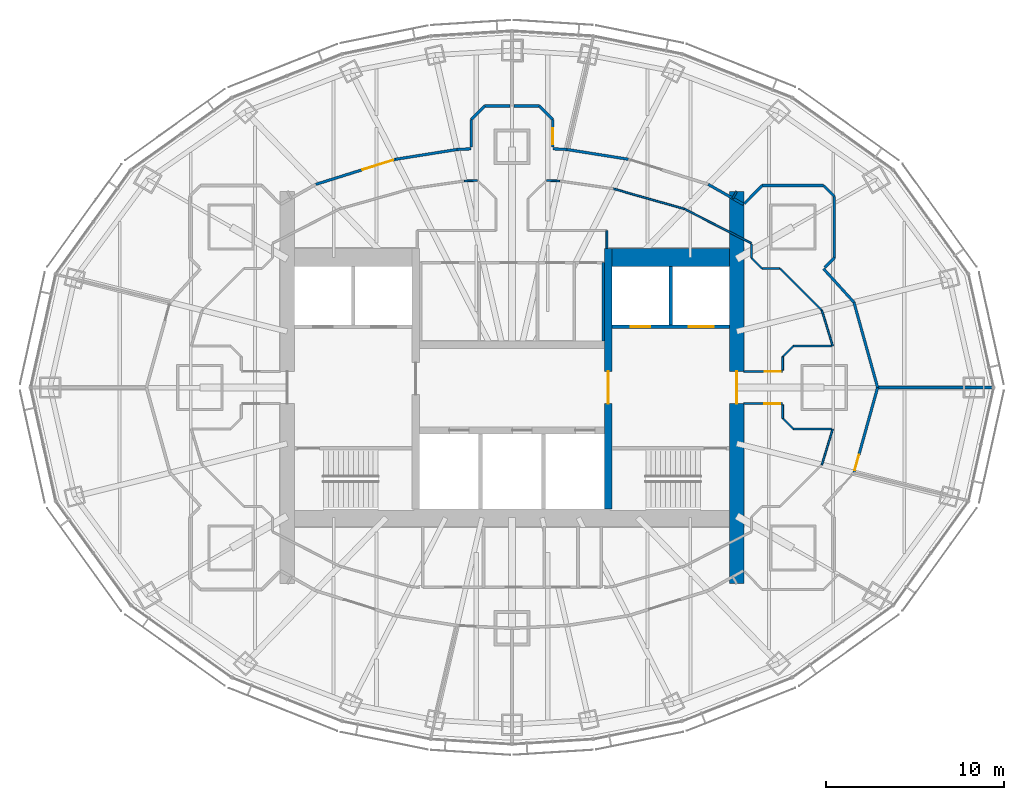
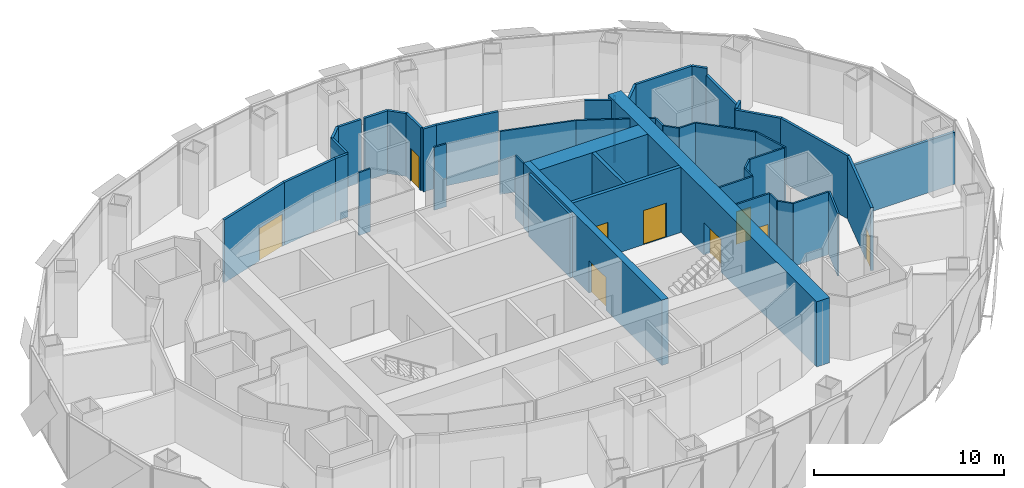
# One storey, part 14 of 18: 47 walls, 9 doors, 9 openings.
"""IFC4 building model written with IfcOpenShell, lengths in metres."""

from ifc_helpers import new_model, si_unit, direction, frame, frame_2d, origin, place, context, subcontext, project, spatial, rectangle, extrude, material, layer, layer_set, type_object, element, fill, save


model = new_model("IFC4")

# Units and contexts
model_context = context("Model", 3, precision=1e-05, world=origin(), true_north=direction((0.0, 1.0)))
body_context = subcontext(model_context, "Body", "Model", "MODEL_VIEW")
ifc_project = project(units=[si_unit("LENGTHUNIT", "METRE"), si_unit("AREAUNIT", "SQUARE_METRE"), si_unit("VOLUMEUNIT", "CUBIC_METRE"), si_unit("PLANEANGLEUNIT", "RADIAN"), si_unit("MASSUNIT", "GRAM", prefix="KILO")], contexts=[model_context])

# Site, building, storey
site_placement = place(None, origin())
site = spatial("IfcSite", under=ifc_project, at=site_placement, CompositionType="ELEMENT")
building_placement = place(site_placement, origin())
building = spatial("IfcBuilding", under=site, at=building_placement, Name="Lantaw Convention Tower", CompositionType="ELEMENT")
storey_placement = place(building_placement, frame((0.0, 0.0, 257.800048828125)))
storey = spatial("IfcBuildingStorey", under=building, at=storey_placement, Name="L60", CompositionType="ELEMENT", Elevation=257.800048828125)

# Wall
ifc_material_1 = material(Name="Concrete C60/75", Category="concrete")
ifc_layer_1 = layer(ifc_material_1, 1.0)
ifc_layer_set_1 = layer_set([ifc_layer_1], Name="Core wall 1000")
wall_type_1 = type_object("IfcWallType", Name="Core wall 1000", PredefinedType="SHEAR", material=ifc_layer_set_1)
wall_1_placement = place(storey_placement, frame((12.199951171875, 7.300048828125, 0.0), z_axis=(0.0, 0.0, 1.0), x_axis=(-1.0, 0.0, 0.0)))
element("IfcWall", 1, at=wall_1_placement, inside=storey, type_object=wall_type_1, Name="Core wall NE", PredefinedType="SHEAR", context=body_context, shape_type="SweptSolid", body=[
    extrude(rectangle(XDim=6.599853515625, YDim=1.0, at=frame_2d((3.2998046875, 0.0))), origin(), (0.0, 0.0, 1.0), 4.199951171875),
])

# Wall, opening, door
ifc_layer_2 = layer(ifc_material_1, 0.39990234375)
ifc_layer_set_2 = layer_set([ifc_layer_2], Name="Core wall 400")
wall_type_2 = type_object("IfcWallType", Name="Core wall 400", PredefinedType="SHEAR", material=ifc_layer_set_2)
wall_2_placement = place(storey_placement, frame((5.39990234375, -6.800048828125, 0.0), z_axis=(0.0, 0.0, 1.0), x_axis=(0.0, 1.0, 0.0)))
wall_2 = element("IfcWall", 2, at=wall_2_placement, inside=storey, type_object=wall_type_2, Name="Core wall XE", PredefinedType="SHEAR", context=body_context, shape_type="SweptSolid", body=[
    extrude(rectangle(XDim=14.60009765625, YDim=0.39990234375, at=frame_2d((7.300048828125, 0.0))), origin(), (0.0, 0.0, 1.0), 4.199951171875),
])
opening_1_placement = place(wall_2_placement, frame((5.89990234375, 0.0, 0.0)))
opening_1 = element("IfcOpeningElement", 3, at=opening_1_placement, cuts=wall_2, Name="Opening L60.01", PredefinedType="OPENING", context=body_context, shape_type="SweptSolid", body=[
    extrude(rectangle(XDim=1.800048828125, YDim=2.10009765625, at=frame_2d((0.89990234375, 1.050048828125))), frame((0.0, 0.2099609375, 0.0), z_axis=(0.0, -1.0, 0.0), x_axis=(1.0, 0.0, 0.0)), (0.0, 0.0, 1.0), 0.419921875),
])
ifc_material_2 = material(Name="Steel, fire rated", Category="steel")
door_type_1 = type_object("IfcDoorType", Name="Lobby double door FD90", OperationType="DOUBLE_DOOR_DOUBLE_SWING", PredefinedType="DOOR", material=ifc_material_2)
door_1_placement = place(opening_1_placement, origin())
door_1 = element("IfcDoor", 4, at=door_1_placement, inside=storey, type_object=door_type_1, Name="Lift lobby door", OperationType="DOUBLE_DOOR_DOUBLE_SWING", OverallHeight=2.10009765625, OverallWidth=1.800048828125, PredefinedType="DOOR", context=body_context, shape_type="SweptSolid", body=[
    extrude(rectangle(XDim=1.800048828125, YDim=2.10009765625, at=frame_2d((0.89990234375, 1.050048828125))), frame((0.0, 0.02490234375, 0.0), z_axis=(0.0, -1.0, 0.0), x_axis=(1.0, 0.0, 0.0)), (0.0, 0.0, 1.0), 0.050048828125),
])
fill(opening_1, door_1)

ifc_layer_3 = layer(ifc_material_1, 0.800048828125)
ifc_layer_set_3 = layer_set([ifc_layer_3], Name="Core wall 800")
wall_type_3 = type_object("IfcWallType", Name="Core wall 800", PredefinedType="SHEAR", material=ifc_layer_set_3)
wall_3_placement = place(storey_placement, frame((12.60009765625, -11.0, 0.0), z_axis=(0.0, 0.0, 1.0), x_axis=(0.0, 1.0, 0.0)))
wall_3 = element("IfcWall", 5, at=wall_3_placement, inside=storey, type_object=wall_type_3, Name="Core wall E", PredefinedType="SHEAR", context=body_context, shape_type="SweptSolid", body=[
    extrude(rectangle(XDim=22.0, YDim=0.800048828125, at=frame_2d((11.0, 0.0))), origin(), (0.0, 0.0, 1.0), 4.199951171875),
])
opening_2_placement = place(wall_3_placement, frame((10.10009765625, 0.0, 0.0)))
opening_2 = element("IfcOpeningElement", 6, at=opening_2_placement, cuts=wall_3, Name="Opening L60.05", PredefinedType="OPENING", context=body_context, shape_type="SweptSolid", body=[
    extrude(rectangle(XDim=1.800048828125, YDim=2.10009765625, at=frame_2d((0.89990234375, 1.050048828125))), frame((0.0, 0.409912109375, 0.0), z_axis=(0.0, -1.0, 0.0), x_axis=(1.0, 0.0, 0.0)), (0.0, 0.0, 1.0), 0.820068359375),
])
door_2_placement = place(opening_2_placement, origin())
door_2 = element("IfcDoor", 7, at=door_2_placement, inside=storey, type_object=door_type_1, Name="Firefighting lobby door", OperationType="DOUBLE_DOOR_DOUBLE_SWING", OverallHeight=2.10009765625, OverallWidth=1.800048828125, PredefinedType="DOOR", context=body_context, shape_type="SweptSolid", body=[
    extrude(rectangle(XDim=1.800048828125, YDim=2.10009765625, at=frame_2d((0.89990234375, 1.050048828125))), frame((0.0, 0.02490234375, 0.0), z_axis=(0.0, -1.0, 0.0), x_axis=(1.0, 0.0, 0.0)), (0.0, 0.0, 1.0), 0.050048828125),
])
fill(opening_2, door_2)

# Walls
ifc_material_3 = material(Name="Gypsum board on steel studs, fire rated", Category="steel")
ifc_layer_4 = layer(ifc_material_3, 0.14990234375)
ifc_layer_set_4 = layer_set([ifc_layer_4], Name="Corridor wall 150 EI 60")
wall_type_4 = type_object("IfcWallType", Name="Corridor wall 150 EI 60", PredefinedType="PARTITIONING", material=ifc_layer_set_4)
wall_4_placement = place(storey_placement, frame((20.5, 0.0, 0.0), z_axis=(0.0, 0.0, 1.0), x_axis=(-0.26770731566, 0.963500281859, 0.0)))
element("IfcWall", 8, at=wall_4_placement, inside=storey, type_object=wall_type_4, Name="Corridor wall 150", PredefinedType="PARTITIONING", context=body_context, shape_type="SweptSolid", body=[
    extrude(rectangle(XDim=4.961181640625, YDim=0.14990234375, at=frame_2d((2.48046875, 0.0))), origin(), (0.0, 0.0, 1.0), 4.050048828125),
])
for number, where, z_axis, x_axis, name in (
    (9, (6.521240234375, 12.798828125, 0.0), (0.0, 0.0, 1.0), (-0.987554093087, 0.157279729233, 0.0), "Corridor wall 150"),
    (10, (-3.081298828125, 13.3466796875, 0.0), (0.0, 0.0, 1.0), (-0.987554093087, -0.157279729233, 0.0), "Corridor wall 150"),
):
    element("IfcWall", number, at=place(storey_placement, frame(where, z_axis=z_axis, x_axis=x_axis)), inside=storey, type_object=wall_type_4, Name=name, PredefinedType="PARTITIONING", context=body_context, shape_type="SweptSolid", body=[
        extrude(rectangle(XDim=3.4833984375, YDim=0.14990234375, at=frame_2d((1.74169921875, 0.0))), origin(), (0.0, 0.0, 1.0), 4.050048828125),
    ])

# Wall, opening, door
wall_5_placement = place(storey_placement, frame((-6.521240234375, 12.798828125, 0.0), z_axis=(0.0, 0.0, 1.0), x_axis=(-0.954031103669, -0.299707612903, 0.0)))
wall_5 = element("IfcWall", 11, at=wall_5_placement, inside=storey, type_object=wall_type_4, Name="Corridor wall 150", PredefinedType="PARTITIONING", context=body_context, shape_type="SweptSolid", body=[
    extrude(rectangle(XDim=4.6953125, YDim=0.14990234375, at=frame_2d((2.34765625, 0.0))), origin(), (0.0, 0.0, 1.0), 4.050048828125),
])
opening_3_placement = place(wall_5_placement, frame((0.14990234375, 0.0, 0.0)))
opening_3 = element("IfcOpeningElement", 12, at=opening_3_placement, cuts=wall_5, Name="Opening L60.28", PredefinedType="OPENING", context=body_context, shape_type="SweptSolid", body=[
    extrude(rectangle(XDim=1.800048828125, YDim=2.10009765625, at=frame_2d((0.89990234375, 1.050048828125))), frame((0.0, 0.0849609375, 0.0), z_axis=(0.0, -1.0, 0.0), x_axis=(1.0, 0.0, 0.0)), (0.0, 0.0, 1.0), 0.169921875),
])
door_type_2 = type_object("IfcDoorType", Name="Office double door 1800 FD30", OperationType="DOUBLE_DOOR_DOUBLE_SWING", PredefinedType="DOOR", material=ifc_material_2)
door_3_placement = place(opening_3_placement, origin())
door_3 = element("IfcDoor", 13, at=door_3_placement, inside=storey, type_object=door_type_2, Name="Tenant suite door", OperationType="DOUBLE_DOOR_DOUBLE_SWING", OverallHeight=2.10009765625, OverallWidth=1.800048828125, PredefinedType="DOOR", context=body_context, shape_type="SweptSolid", body=[
    extrude(rectangle(XDim=1.800048828125, YDim=2.10009765625, at=frame_2d((0.89990234375, 1.050048828125))), frame((0.0, 0.02490234375, 0.0), z_axis=(0.0, -1.0, 0.0), x_axis=(1.0, 0.0, 0.0)), (0.0, 0.0, 1.0), 0.050048828125),
])
fill(opening_3, door_3)

wall_6_placement = place(storey_placement, frame((19.171875, -4.780029296875, 0.0), z_axis=(0.0, 0.0, 1.0), x_axis=(0.26770731566, 0.963500281859, 0.0)))
wall_6 = element("IfcWall", 14, at=wall_6_placement, inside=storey, type_object=wall_type_4, Name="Corridor wall 150", PredefinedType="PARTITIONING", context=body_context, shape_type="SweptSolid", body=[
    extrude(rectangle(XDim=4.961181640625, YDim=0.14990234375, at=frame_2d((2.48046875, 0.0))), origin(), (0.0, 0.0, 1.0), 4.050048828125),
])
opening_4_placement = place(wall_6_placement, frame((0.14990234375, 0.0, 0.0)))
opening_4 = element("IfcOpeningElement", 15, at=opening_4_placement, cuts=wall_6, Name="Opening L60.34", PredefinedType="OPENING", context=body_context, shape_type="SweptSolid", body=[
    extrude(rectangle(XDim=0.89990234375, YDim=2.10009765625, at=frame_2d((0.449951171875, 1.050048828125))), frame((0.0, 0.0849609375, 0.0), z_axis=(0.0, -1.0, 0.0), x_axis=(1.0, 0.0, 0.0)), (0.0, 0.0, 1.0), 0.169921875),
])
door_type_3 = type_object("IfcDoorType", Name="Office door 900 FD30", OperationType="SINGLE_SWING_LEFT", PredefinedType="DOOR", material=ifc_material_2)
door_4_placement = place(opening_4_placement, origin())
door_4 = element("IfcDoor", 16, at=door_4_placement, inside=storey, type_object=door_type_3, Name="Pantry door", OperationType="SINGLE_SWING_LEFT", OverallHeight=2.10009765625, OverallWidth=0.89990234375, PredefinedType="DOOR", context=body_context, shape_type="SweptSolid", body=[
    extrude(rectangle(XDim=0.89990234375, YDim=2.10009765625, at=frame_2d((0.449951171875, 1.050048828125))), frame((0.0, 0.02490234375, 0.0), z_axis=(0.0, -1.0, 0.0), x_axis=(1.0, 0.0, 0.0)), (0.0, 0.0, 1.0), 0.050048828125),
])
fill(opening_4, door_4)

# Walls
for number, where, z_axis, x_axis, name in (
    (17, (3.081298828125, 13.3466796875, 0.0), (0.0, 0.0, 1.0), (-0.998768524691, 0.049612841959, 0.0), "Corridor wall 150"),
    (18, (-2.294921875, 13.3857421875, 0.0), (0.0, 0.0, 1.0), (-0.998768524691, -0.049612841959, 0.0), "Corridor wall 150"),
):
    element("IfcWall", number, at=place(storey_placement, frame(where, z_axis=z_axis, x_axis=x_axis)), inside=storey, type_object=wall_type_4, Name=name, PredefinedType="PARTITIONING", context=body_context, shape_type="SweptSolid", body=[
        extrude(rectangle(XDim=0.787353515625, YDim=0.14990234375, at=frame_2d((0.3935546875, 0.0))), origin(), (0.0, 0.0, 1.0), 4.050048828125),
    ])
wall_7_placement = place(storey_placement, frame((0.103271484375, 15.784912109375, 0.0), z_axis=(0.0, 0.0, 1.0), x_axis=(1.0, 0.0, 0.0)))
element("IfcWall", 19, at=wall_7_placement, inside=storey, type_object=wall_type_4, Name="Corridor wall 150", PredefinedType="PARTITIONING", context=body_context, shape_type="SweptSolid", body=[
    extrude(rectangle(XDim=1.428955078125, YDim=0.14990234375, at=frame_2d((0.71435546875, 0.0))), origin(), (0.0, 0.0, 1.0), 4.050048828125),
])
wall_8_placement = place(storey_placement, frame((1.5322265625, 15.784912109375, 0.0), z_axis=(0.0, 0.0, 1.0), x_axis=(0.707106781187, -0.707106781187, 0.0)))
element("IfcWall", 20, at=wall_8_placement, inside=storey, type_object=wall_type_4, Name="Corridor wall 150", PredefinedType="PARTITIONING", context=body_context, shape_type="SweptSolid", body=[
    extrude(rectangle(XDim=1.064453125, YDim=0.14990234375, at=frame_2d((0.5322265625, 0.0))), origin(), (0.0, 0.0, 1.0), 4.050048828125),
])

# Wall, opening, door
wall_9_placement = place(storey_placement, frame((2.284912109375, 15.0322265625, 0.0), z_axis=(0.0, 0.0, 1.0), x_axis=(0.0, -1.0, 0.0)))
wall_9 = element("IfcWall", 21, at=wall_9_placement, inside=storey, type_object=wall_type_4, Name="Corridor wall 150", PredefinedType="PARTITIONING", context=body_context, shape_type="SweptSolid", body=[
    extrude(rectangle(XDim=1.544921875, YDim=0.14990234375, at=frame_2d((0.7724609375, 0.0))), origin(), (0.0, 0.0, 1.0), 4.050048828125),
])
opening_5_placement = place(wall_9_placement, frame((0.5, 0.0, 0.0)))
opening_5 = element("IfcOpeningElement", 22, at=opening_5_placement, cuts=wall_9, Name="Opening L60.27", PredefinedType="OPENING", context=body_context, shape_type="SweptSolid", body=[
    extrude(rectangle(XDim=0.89990234375, YDim=2.10009765625, at=frame_2d((0.449951171875, 1.050048828125))), frame((0.0, 0.0849609375, 0.0), z_axis=(0.0, -1.0, 0.0), x_axis=(1.0, 0.0, 0.0)), (0.0, 0.0, 1.0), 0.169921875),
])
door_5_placement = place(opening_5_placement, origin())
door_5 = element("IfcDoor", 23, at=door_5_placement, inside=storey, type_object=door_type_3, Name="Meeting room door", OperationType="SINGLE_SWING_LEFT", OverallHeight=2.10009765625, OverallWidth=0.89990234375, PredefinedType="DOOR", context=body_context, shape_type="SweptSolid", body=[
    extrude(rectangle(XDim=0.89990234375, YDim=2.10009765625, at=frame_2d((0.449951171875, 1.050048828125))), frame((0.0, 0.02490234375, 0.0), z_axis=(0.0, -1.0, 0.0), x_axis=(1.0, 0.0, 0.0)), (0.0, 0.0, 1.0), 0.050048828125),
])
fill(opening_5, door_5)

# Walls
wall_10_placement = place(storey_placement, frame((-2.284912109375, 13.4873046875, 0.0), z_axis=(0.0, 0.0, 1.0), x_axis=(0.0, 1.0, 0.0)))
element("IfcWall", 24, at=wall_10_placement, inside=storey, type_object=wall_type_4, Name="Corridor wall 150", PredefinedType="PARTITIONING", context=body_context, shape_type="SweptSolid", body=[
    extrude(rectangle(XDim=1.544921875, YDim=0.14990234375, at=frame_2d((0.7724609375, 0.0))), origin(), (0.0, 0.0, 1.0), 4.050048828125),
])
wall_11_placement = place(storey_placement, frame((-2.284912109375, 15.0322265625, 0.0), z_axis=(0.0, 0.0, 1.0), x_axis=(0.707106781187, 0.707106781187, 0.0)))
element("IfcWall", 25, at=wall_11_placement, inside=storey, type_object=wall_type_4, Name="Corridor wall 150", PredefinedType="PARTITIONING", context=body_context, shape_type="SweptSolid", body=[
    extrude(rectangle(XDim=1.064453125, YDim=0.14990234375, at=frame_2d((0.5322265625, 0.0))), origin(), (0.0, 0.0, 1.0), 4.050048828125),
])
wall_12_placement = place(storey_placement, frame((-1.5322265625, 15.784912109375, 0.0), z_axis=(0.0, 0.0, 1.0), x_axis=(1.0, 0.0, 0.0)))
element("IfcWall", 26, at=wall_12_placement, inside=storey, type_object=wall_type_4, Name="Corridor wall 150", PredefinedType="PARTITIONING", context=body_context, shape_type="SweptSolid", body=[
    extrude(rectangle(XDim=1.428955078125, YDim=0.14990234375, at=frame_2d((0.71435546875, 0.0))), origin(), (0.0, 0.0, 1.0), 4.050048828125),
])
wall_13_placement = place(storey_placement, frame((19.171875, 4.780029296875, 0.0), z_axis=(0.0, 0.0, 1.0), x_axis=(-0.671721890643, 0.74080341632, 0.0)))
element("IfcWall", 27, at=wall_13_placement, inside=storey, type_object=wall_type_4, Name="Corridor wall 150", PredefinedType="PARTITIONING", context=body_context, shape_type="SweptSolid", body=[
    extrude(rectangle(XDim=2.54443359375, YDim=0.14990234375, at=frame_2d((1.272216796875, 0.0))), origin(), (0.0, 0.0, 1.0), 4.050048828125),
])
wall_14_placement = place(storey_placement, frame((12.974609375, 10.271484375, 0.0), z_axis=(0.0, 0.0, 1.0), x_axis=(-0.869722107117, 0.493541747366, 0.0)))
element("IfcWall", 28, at=wall_14_placement, inside=storey, type_object=wall_type_4, Name="Corridor wall 150", PredefinedType="PARTITIONING", context=body_context, shape_type="SweptSolid", body=[
    extrude(rectangle(XDim=2.26953125, YDim=0.14990234375, at=frame_2d((1.134765625, 0.0))), origin(), (0.0, 0.0, 1.0), 4.050048828125),
])
wall_15_placement = place(storey_placement, frame((13.035888671875, 10.318603515625, 0.0), z_axis=(0.0, 0.0, 1.0), x_axis=(0.701113567316, 0.713049623606, 0.0)))
element("IfcWall", 29, at=wall_15_placement, inside=storey, type_object=wall_type_4, Name="Corridor wall 150", PredefinedType="PARTITIONING", context=body_context, shape_type="SweptSolid", body=[
    extrude(rectangle(XDim=1.411376953125, YDim=0.14990234375, at=frame_2d((0.70556640625, 0.0))), origin(), (0.0, 0.0, 1.0), 4.050048828125),
])
wall_16_placement = place(storey_placement, frame((14.025390625, 11.324951171875, 0.0), z_axis=(0.0, 0.0, 1.0), x_axis=(1.0, 0.0, 0.0)))
element("IfcWall", 30, at=wall_16_placement, inside=storey, type_object=wall_type_4, Name="Corridor wall 150", PredefinedType="PARTITIONING", context=body_context, shape_type="SweptSolid", body=[
    extrude(rectangle(XDim=3.44921875, YDim=0.14990234375, at=frame_2d((1.724609375, 0.0))), origin(), (0.0, 0.0, 1.0), 4.050048828125),
])
wall_17_placement = place(storey_placement, frame((17.474609375, 11.324951171875, 0.0), z_axis=(0.0, 0.0, 1.0), x_axis=(0.707106781187, -0.707106781187, 0.0)))
element("IfcWall", 31, at=wall_17_placement, inside=storey, type_object=wall_type_4, Name="Corridor wall 150", PredefinedType="PARTITIONING", context=body_context, shape_type="SweptSolid", body=[
    extrude(rectangle(XDim=0.84912109375, YDim=0.14990234375, at=frame_2d((0.424560546875, 0.0))), origin(), (0.0, 0.0, 1.0), 4.050048828125),
])
wall_18_placement = place(storey_placement, frame((18.074951171875, 10.724609375, 0.0), z_axis=(0.0, 0.0, 1.0), x_axis=(0.0, -1.0, 0.0)))
element("IfcWall", 32, at=wall_18_placement, inside=storey, type_object=wall_type_4, Name="Corridor wall 150", PredefinedType="PARTITIONING", context=body_context, shape_type="SweptSolid", body=[
    extrude(rectangle(XDim=3.44921875, YDim=0.14990234375, at=frame_2d((1.724609375, 0.0))), origin(), (0.0, 0.0, 1.0), 3.600341796875),
])
wall_19_placement = place(storey_placement, frame((18.074951171875, 7.275390625, 0.0), z_axis=(0.0, 0.0, 1.0), x_axis=(-0.707106781187, -0.707106781187, 0.0)))
element("IfcWall", 33, at=wall_19_placement, inside=storey, type_object=wall_type_4, Name="Corridor wall 150", PredefinedType="PARTITIONING", context=body_context, shape_type="SweptSolid", body=[
    extrude(rectangle(XDim=0.759521484375, YDim=0.14990234375, at=frame_2d((0.3798828125, 0.0))), origin(), (0.0, 0.0, 1.0), 4.050048828125),
])
ifc_material_4 = material(Name="Gypsum board on steel studs, acoustic", Category="steel")
ifc_layer_5 = layer(ifc_material_4, 0.10009765625)
ifc_layer_set_5 = layer_set([ifc_layer_5], Name="Office partition 100")
wall_type_5 = type_object("IfcWallType", Name="Office partition 100", PredefinedType="PARTITIONING", material=ifc_layer_set_5)
wall_20_placement = place(storey_placement, frame((5.320068359375, 7.800048828125, 0.0), z_axis=(0.0, 0.0, 1.0), x_axis=(0.0, 1.0, 0.0)))
element("IfcWall", 34, at=wall_20_placement, inside=storey, type_object=wall_type_5, Name="Office partition 100", PredefinedType="PARTITIONING", context=body_context, shape_type="SweptSolid", body=[
    extrude(rectangle(XDim=1.0, YDim=0.10009765625, at=frame_2d((0.5, 0.0))), origin(), (0.0, 0.0, 1.0), 4.050048828125),
])
wall_21_placement = place(storey_placement, frame((5.679931640625, 11.147216796875, 0.0), z_axis=(0.0, 0.0, 1.0), x_axis=(0.961973498971, -0.273142796496, 0.0)))
element("IfcWall", 35, at=wall_21_placement, inside=storey, type_object=wall_type_5, Name="Office partition 100", PredefinedType="PARTITIONING", context=body_context, shape_type="SweptSolid", body=[
    extrude(rectangle(XDim=4.148193359375, YDim=0.10009765625, at=frame_2d((2.07421875, 0.0))), origin(), (0.0, 0.0, 1.0), 4.050048828125),
])
wall_22_placement = place(storey_placement, frame((12.60009765625, 11.0, 0.0), z_axis=(0.0, 0.0, 1.0), x_axis=(-0.493794495037, -0.869578631678, 0.0)))
element("IfcWall", 36, at=wall_22_placement, inside=storey, type_object=wall_type_5, Name="Office partition 100", PredefinedType="PARTITIONING", context=body_context, shape_type="SweptSolid", body=[
    extrude(rectangle(XDim=0.448974609375, YDim=0.10009765625, at=frame_2d((0.224609375, 0.0))), origin(), (0.0, 0.0, 1.0), 4.050048828125),
])
for number, where, z_axis, x_axis, name in (
    (37, (1.944091796875, 11.612548828125, 0.0), (0.0, 0.0, 1.0), (0.99899525873, -0.04481599085, 0.0), "Office partition 100"),
    (38, (-2.67333984375, 11.579833984375, 0.0), (0.0, 0.0, 1.0), (0.99899525873, 0.04481599085, 0.0), "Office partition 100"),
):
    element("IfcWall", number, at=place(storey_placement, frame(where, z_axis=z_axis, x_axis=x_axis)), inside=storey, type_object=wall_type_5, Name=name, PredefinedType="PARTITIONING", context=body_context, shape_type="SweptSolid", body=[
        extrude(rectangle(XDim=0.72998046875, YDim=0.10009765625, at=frame_2d((0.364990234375, 0.0))), origin(), (0.0, 0.0, 1.0), 4.050048828125),
    ])
wall_23_placement = place(storey_placement, frame((9.67041015625, 10.01416015625, 0.0), z_axis=(0.0, 0.0, 1.0), x_axis=(0.889620520549, -0.45670048108, 0.0)))
element("IfcWall", 39, at=wall_23_placement, inside=storey, type_object=wall_type_5, Name="Office partition 100", PredefinedType="PARTITIONING", context=body_context, shape_type="SweptSolid", body=[
    extrude(rectangle(XDim=4.209228515625, YDim=0.10009765625, at=frame_2d((2.1044921875, 0.0))), origin(), (0.0, 0.0, 1.0), 4.050048828125),
])
wall_24_placement = place(storey_placement, frame((15.03466796875, 6.6650390625, 0.0), z_axis=(0.0, 0.0, 1.0), x_axis=(0.707587114823, -0.70662612104, 0.0)))
element("IfcWall", 40, at=wall_24_placement, inside=storey, type_object=wall_type_5, Name="Office partition 100", PredefinedType="PARTITIONING", context=body_context, shape_type="SweptSolid", body=[
    extrude(rectangle(XDim=3.302734375, YDim=0.10009765625, at=frame_2d((1.6513671875, 0.0))), origin(), (0.0, 0.0, 1.0), 4.050048828125),
])
wall_25_placement = place(storey_placement, frame((15.002197265625, 6.675048828125, 0.0), z_axis=(0.0, 0.0, 1.0), x_axis=(-1.0, 0.0, 0.0)))
element("IfcWall", 41, at=wall_25_placement, inside=storey, type_object=wall_type_5, Name="Office partition 100", PredefinedType="PARTITIONING", context=body_context, shape_type="SweptSolid", body=[
    extrude(rectangle(XDim=0.976806640625, YDim=0.10009765625, at=frame_2d((0.48828125, 0.0))), origin(), (0.0, 0.0, 1.0), 4.050048828125),
])
wall_26_placement = place(storey_placement, frame((14.025390625, 6.675048828125, 0.0), z_axis=(0.0, 0.0, 1.0), x_axis=(-0.707106781187, 0.707106781187, 0.0)))
element("IfcWall", 42, at=wall_26_placement, inside=storey, type_object=wall_type_5, Name="Office partition 100", PredefinedType="PARTITIONING", context=body_context, shape_type="SweptSolid", body=[
    extrude(rectangle(XDim=0.84912109375, YDim=0.10009765625, at=frame_2d((0.424560546875, 0.0))), origin(), (0.0, 0.0, 1.0), 4.050048828125),
])
wall_27_placement = place(storey_placement, frame((13.425048828125, 7.275390625, 0.0), z_axis=(0.0, 0.0, 1.0), x_axis=(0.0, 1.0, 0.0)))
element("IfcWall", 43, at=wall_27_placement, inside=storey, type_object=wall_type_5, Name="Office partition 100", PredefinedType="PARTITIONING", context=body_context, shape_type="SweptSolid", body=[
    extrude(rectangle(XDim=0.770263671875, YDim=0.10009765625, at=frame_2d((0.38525390625, 0.0))), origin(), (0.0, 0.0, 1.0), 4.050048828125),
])

# Wall, opening, door
wall_28_placement = place(storey_placement, frame((13.0, -0.89990234375, 0.0), z_axis=(0.0, 0.0, 1.0), x_axis=(1.0, 0.0, 0.0)))
wall_28 = element("IfcWall", 44, at=wall_28_placement, inside=storey, type_object=wall_type_5, Name="Office partition 100", PredefinedType="PARTITIONING", context=body_context, shape_type="SweptSolid", body=[
    extrude(rectangle(XDim=2.1650390625, YDim=0.10009765625, at=frame_2d((1.08251953125, 0.0))), origin(), (0.0, 0.0, 1.0), 4.050048828125),
])
opening_6_placement = place(wall_28_placement, frame((1.14990234375, 0.0, 0.0)))
opening_6 = element("IfcOpeningElement", 45, at=opening_6_placement, cuts=wall_28, Name="Opening L60.23", PredefinedType="OPENING", context=body_context, shape_type="SweptSolid", body=[
    extrude(rectangle(XDim=0.89990234375, YDim=2.10009765625, at=frame_2d((0.449951171875, 1.050048828125))), frame((0.0, 0.06005859375, 0.0), z_axis=(0.0, -1.0, 0.0), x_axis=(1.0, 0.0, 0.0)), (0.0, 0.0, 1.0), 0.1201171875),
])
ifc_material_5 = material(Name="Timber", Category="wood")
door_type_4 = type_object("IfcDoorType", Name="Office door 900", OperationType="SINGLE_SWING_LEFT", PredefinedType="DOOR", material=ifc_material_5)
door_6_placement = place(opening_6_placement, origin())
door_6 = element("IfcDoor", 46, at=door_6_placement, inside=storey, type_object=door_type_4, Name="Project room door", OperationType="SINGLE_SWING_LEFT", OverallHeight=2.10009765625, OverallWidth=0.89990234375, PredefinedType="DOOR", context=body_context, shape_type="SweptSolid", body=[
    extrude(rectangle(XDim=0.89990234375, YDim=2.10009765625, at=frame_2d((0.449951171875, 1.050048828125))), frame((0.0, 0.02490234375, 0.0), z_axis=(0.0, -1.0, 0.0), x_axis=(1.0, 0.0, 0.0)), (0.0, 0.0, 1.0), 0.050048828125),
])
fill(opening_6, door_6)

# Walls
for number, where, z_axis, x_axis, name in (
    (47, (17.98388671875, -2.3349609375, 0.0), (0.0, 0.0, 1.0), (-0.293231279211, -0.956041535129, 0.0), "Office partition 100"),
    (48, (17.37158203125, 4.331298828125, 0.0), (0.0, 0.0, 1.0), (0.293231279211, -0.956041535129, 0.0), "Office partition 100"),
):
    element("IfcWall", number, at=place(storey_placement, frame(where, z_axis=z_axis, x_axis=x_axis)), inside=storey, type_object=wall_type_5, Name=name, PredefinedType="PARTITIONING", context=body_context, shape_type="SweptSolid", body=[
        extrude(rectangle(XDim=2.088134765625, YDim=0.10009765625, at=frame_2d((1.0439453125, 0.0))), origin(), (0.0, 0.0, 1.0), 4.050048828125),
    ])

# Wall, opening, door
wall_29_placement = place(storey_placement, frame((15.1650390625, 0.89990234375, 0.0), z_axis=(0.0, 0.0, 1.0), x_axis=(-1.0, 0.0, 0.0)))
wall_29 = element("IfcWall", 49, at=wall_29_placement, inside=storey, type_object=wall_type_5, Name="Office partition 100", PredefinedType="PARTITIONING", context=body_context, shape_type="SweptSolid", body=[
    extrude(rectangle(XDim=2.1650390625, YDim=0.10009765625, at=frame_2d((1.08251953125, 0.0))), origin(), (0.0, 0.0, 1.0), 4.050048828125),
])
opening_7_placement = place(wall_29_placement, frame((0.10009765625, 0.0, 0.0)))
opening_7 = element("IfcOpeningElement", 50, at=opening_7_placement, cuts=wall_29, Name="Opening L60.24", PredefinedType="OPENING", context=body_context, shape_type="SweptSolid", body=[
    extrude(rectangle(XDim=0.89990234375, YDim=2.10009765625, at=frame_2d((0.449951171875, 1.050048828125))), frame((0.0, 0.06005859375, 0.0), z_axis=(0.0, -1.0, 0.0), x_axis=(1.0, 0.0, 0.0)), (0.0, 0.0, 1.0), 0.1201171875),
])
door_7_placement = place(opening_7_placement, origin())
door_7 = element("IfcDoor", 51, at=door_7_placement, inside=storey, type_object=door_type_4, Name="Tenant storage room door", OperationType="SINGLE_SWING_LEFT", OverallHeight=2.10009765625, OverallWidth=0.89990234375, PredefinedType="DOOR", context=body_context, shape_type="SweptSolid", body=[
    extrude(rectangle(XDim=0.89990234375, YDim=2.10009765625, at=frame_2d((0.449951171875, 1.050048828125))), frame((0.0, 0.02490234375, 0.0), z_axis=(0.0, -1.0, 0.0), x_axis=(1.0, 0.0, 0.0)), (0.0, 0.0, 1.0), 0.050048828125),
])
fill(opening_7, door_7)

# Walls
wall_30_placement = place(storey_placement, frame((15.175048828125, -1.724609375, 0.0), z_axis=(0.0, 0.0, 1.0), x_axis=(0.0, 1.0, 0.0)))
element("IfcWall", 52, at=wall_30_placement, inside=storey, type_object=wall_type_5, Name="Office partition 100", PredefinedType="PARTITIONING", context=body_context, shape_type="SweptSolid", body=[
    extrude(rectangle(XDim=0.746337890625, YDim=0.10009765625, at=frame_2d((0.373046875, 0.0))), origin(), (0.0, 0.0, 1.0), 4.050048828125),
])
wall_31_placement = place(storey_placement, frame((17.903076171875, -2.324951171875, 0.0), z_axis=(0.0, 0.0, 1.0), x_axis=(-1.0, 0.0, 0.0)))
element("IfcWall", 53, at=wall_31_placement, inside=storey, type_object=wall_type_5, Name="Office partition 100", PredefinedType="PARTITIONING", context=body_context, shape_type="SweptSolid", body=[
    extrude(rectangle(XDim=2.127685546875, YDim=0.10009765625, at=frame_2d((1.06396484375, 0.0))), origin(), (0.0, 0.0, 1.0), 4.050048828125),
])
wall_32_placement = place(storey_placement, frame((15.775390625, -2.324951171875, 0.0), z_axis=(0.0, 0.0, 1.0), x_axis=(-0.707106781187, 0.707106781187, 0.0)))
element("IfcWall", 54, at=wall_32_placement, inside=storey, type_object=wall_type_5, Name="Office partition 100", PredefinedType="PARTITIONING", context=body_context, shape_type="SweptSolid", body=[
    extrude(rectangle(XDim=0.84912109375, YDim=0.10009765625, at=frame_2d((0.424560546875, 0.0))), origin(), (0.0, 0.0, 1.0), 4.050048828125),
])
wall_33_placement = place(storey_placement, frame((15.175048828125, 0.978271484375, 0.0), z_axis=(0.0, 0.0, 1.0), x_axis=(0.0, 1.0, 0.0)))
element("IfcWall", 55, at=wall_33_placement, inside=storey, type_object=wall_type_5, Name="Office partition 100", PredefinedType="PARTITIONING", context=body_context, shape_type="SweptSolid", body=[
    extrude(rectangle(XDim=0.746337890625, YDim=0.10009765625, at=frame_2d((0.373046875, 0.0))), origin(), (0.0, 0.0, 1.0), 4.050048828125),
])
wall_34_placement = place(storey_placement, frame((15.175048828125, 1.724609375, 0.0), z_axis=(0.0, 0.0, 1.0), x_axis=(0.707106781187, 0.707106781187, 0.0)))
element("IfcWall", 56, at=wall_34_placement, inside=storey, type_object=wall_type_5, Name="Office partition 100", PredefinedType="PARTITIONING", context=body_context, shape_type="SweptSolid", body=[
    extrude(rectangle(XDim=0.84912109375, YDim=0.10009765625, at=frame_2d((0.424560546875, 0.0))), origin(), (0.0, 0.0, 1.0), 4.050048828125),
])
wall_35_placement = place(storey_placement, frame((15.775390625, 2.324951171875, 0.0), z_axis=(0.0, 0.0, 1.0), x_axis=(1.0, 0.0, 0.0)))
element("IfcWall", 57, at=wall_35_placement, inside=storey, type_object=wall_type_5, Name="Office partition 100", PredefinedType="PARTITIONING", context=body_context, shape_type="SweptSolid", body=[
    extrude(rectangle(XDim=2.127685546875, YDim=0.10009765625, at=frame_2d((1.06396484375, 0.0))), origin(), (0.0, 0.0, 1.0), 4.050048828125),
])

# Wall, openings, doors
ifc_material_6 = material(Name="Concrete blockwork, fire rated", Category="masonry")
ifc_layer_6 = layer(ifc_material_6, 0.199951171875)
ifc_layer_set_6 = layer_set([ifc_layer_6], Name="Shaft wall 200")
wall_type_6 = type_object("IfcWallType", Name="Shaft wall 200", PredefinedType="SOLIDWALL", material=ifc_layer_set_6)
wall_36_placement = place(storey_placement, frame((12.199951171875, 3.39990234375, 0.0), z_axis=(0.0, 0.0, 1.0), x_axis=(-1.0, 0.0, 0.0)))
wall_36 = element("IfcWall", 58, at=wall_36_placement, inside=storey, type_object=wall_type_6, Name="Shaft wall EN", PredefinedType="SOLIDWALL", context=body_context, shape_type="SweptSolid", body=[
    extrude(rectangle(XDim=6.599853515625, YDim=0.199951171875, at=frame_2d((3.2998046875, 0.0))), origin(), (0.0, 0.0, 1.0), 4.199951171875),
])
opening_8_placement = place(wall_36_placement, frame((4.449951171875, 0.0, 0.0)))
opening_8 = element("IfcOpeningElement", 59, at=opening_8_placement, cuts=wall_36, Name="Opening L60.12", PredefinedType="OPENING", context=body_context, shape_type="SweptSolid", body=[
    extrude(rectangle(XDim=1.10009765625, YDim=2.199951171875, at=frame_2d((0.550048828125, 1.10009765625))), frame((0.0, 0.10986328125, 0.0), z_axis=(0.0, -1.0, 0.0), x_axis=(1.0, 0.0, 0.0)), (0.0, 0.0, 1.0), 0.219970703125),
])
opening_9_placement = place(wall_36_placement, frame((0.89990234375, 0.0, 0.0)))
opening_9 = element("IfcOpeningElement", 60, at=opening_9_placement, cuts=wall_36, Name="Opening L60.13", PredefinedType="OPENING", context=body_context, shape_type="SweptSolid", body=[
    extrude(rectangle(XDim=1.39990234375, YDim=2.199951171875, at=frame_2d((0.699951171875, 1.10009765625))), frame((0.0, 0.10986328125, 0.0), z_axis=(0.0, -1.0, 0.0), x_axis=(1.0, 0.0, 0.0)), (0.0, 0.0, 1.0), 0.219970703125),
])
ifc_material_7 = material(Name="Stainless steel", Category="steel")
door_type_5 = type_object("IfcDoorType", Name="Lift landing door 1100", OperationType="DOUBLE_DOOR_SLIDING", PredefinedType="DOOR", material=ifc_material_7)
door_8_placement = place(opening_8_placement, origin())
door_8 = element("IfcDoor", 61, at=door_8_placement, inside=storey, type_object=door_type_5, Name="Lift landing door FF2", OperationType="DOUBLE_DOOR_SLIDING", OverallHeight=2.199951171875, OverallWidth=1.10009765625, PredefinedType="DOOR", context=body_context, shape_type="SweptSolid", body=[
    extrude(rectangle(XDim=1.10009765625, YDim=2.199951171875, at=frame_2d((0.550048828125, 1.10009765625))), frame((0.0, 0.02490234375, 0.0), z_axis=(0.0, -1.0, 0.0), x_axis=(1.0, 0.0, 0.0)), (0.0, 0.0, 1.0), 0.050048828125),
])
fill(opening_8, door_8)
door_type_6 = type_object("IfcDoorType", Name="Lift landing door 1400", OperationType="DOUBLE_DOOR_SLIDING", PredefinedType="DOOR", material=ifc_material_7)
door_9_placement = place(opening_9_placement, origin())
door_9 = element("IfcDoor", 62, at=door_9_placement, inside=storey, type_object=door_type_6, Name="Lift landing door SV2", OperationType="DOUBLE_DOOR_SLIDING", OverallHeight=2.199951171875, OverallWidth=1.39990234375, PredefinedType="DOOR", context=body_context, shape_type="SweptSolid", body=[
    extrude(rectangle(XDim=1.39990234375, YDim=2.199951171875, at=frame_2d((0.699951171875, 1.10009765625))), frame((0.0, 0.02490234375, 0.0), z_axis=(0.0, -1.0, 0.0), x_axis=(1.0, 0.0, 0.0)), (0.0, 0.0, 1.0), 0.050048828125),
])
fill(opening_9, door_9)

# Walls
wall_37_placement = place(storey_placement, frame((8.89990234375, 3.5, 0.0), z_axis=(0.0, 0.0, 1.0), x_axis=(0.0, 1.0, 0.0)))
element("IfcWall", 63, at=wall_37_placement, inside=storey, type_object=wall_type_6, Name="Shaft wall ED", PredefinedType="SOLIDWALL", context=body_context, shape_type="SweptSolid", body=[
    extrude(rectangle(XDim=3.300048828125, YDim=0.199951171875, at=frame_2d((1.64990234375, 0.0))), origin(), (0.0, 0.0, 1.0), 4.199951171875),
])
ifc_layer_7 = layer(ifc_material_3, 0.14990234375)
ifc_layer_set_7 = layer_set([ifc_layer_7], Name="Tenant separation wall 150 EI 60")
wall_type_7 = type_object("IfcWallType", Name="Tenant separation wall 150 EI 60", PredefinedType="PARTITIONING", material=ifc_layer_set_7)
wall_38_placement = place(storey_placement, frame((26.944091796875, 0.0, 0.0), z_axis=(0.0, 0.0, 1.0), x_axis=(-1.0, 0.0, 0.0)))
element("IfcWall", 64, at=wall_38_placement, inside=storey, type_object=wall_type_7, Name="Tenant separation wall 150", PredefinedType="PARTITIONING", context=body_context, shape_type="SweptSolid", body=[
    extrude(rectangle(XDim=6.444091796875, YDim=0.14990234375, at=frame_2d((3.22216796875, 0.0))), origin(), (0.0, 0.0, 1.0), 3.348876953125),
])
ifc_material_8 = material(Name="Concrete blockwork", Category="masonry")
ifc_layer_8 = layer(ifc_material_8, 0.14990234375)
ifc_layer_set_8 = layer_set([ifc_layer_8], Name="WC wall 150")
wall_type_8 = type_object("IfcWallType", Name="WC wall 150", PredefinedType="SOLIDWALL", material=ifc_layer_set_8)
wall_39_placement = place(storey_placement, frame((5.1201171875, 2.60009765625, 0.0), z_axis=(0.0, 0.0, 1.0), x_axis=(0.0, 1.0, 0.0)))
element("IfcWall", 65, at=wall_39_placement, inside=storey, type_object=wall_type_8, Name="WC wall 150", PredefinedType="SOLIDWALL", context=body_context, shape_type="SweptSolid", body=[
    extrude(rectangle(XDim=4.39990234375, YDim=0.14990234375, at=frame_2d((2.199951171875, 0.0))), origin(), (0.0, 0.0, 1.0), 4.050048828125),
])

save(model, "model.ifc")
